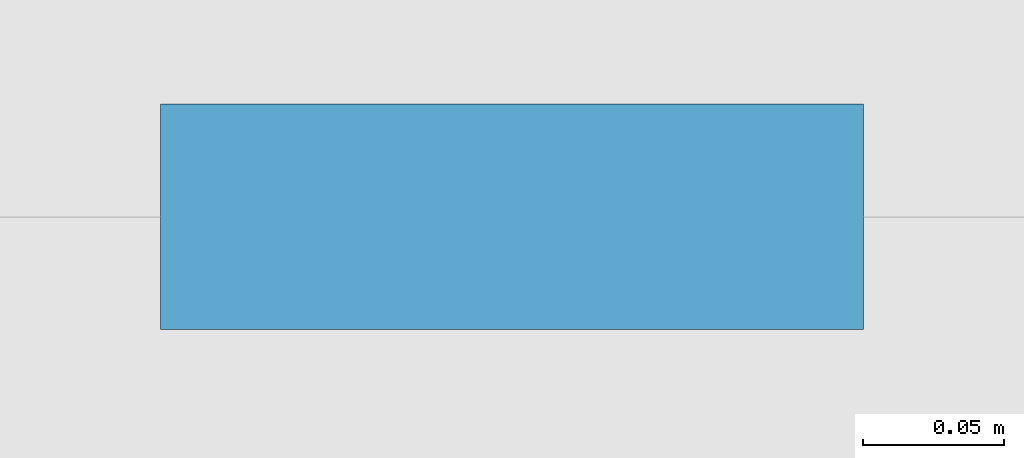
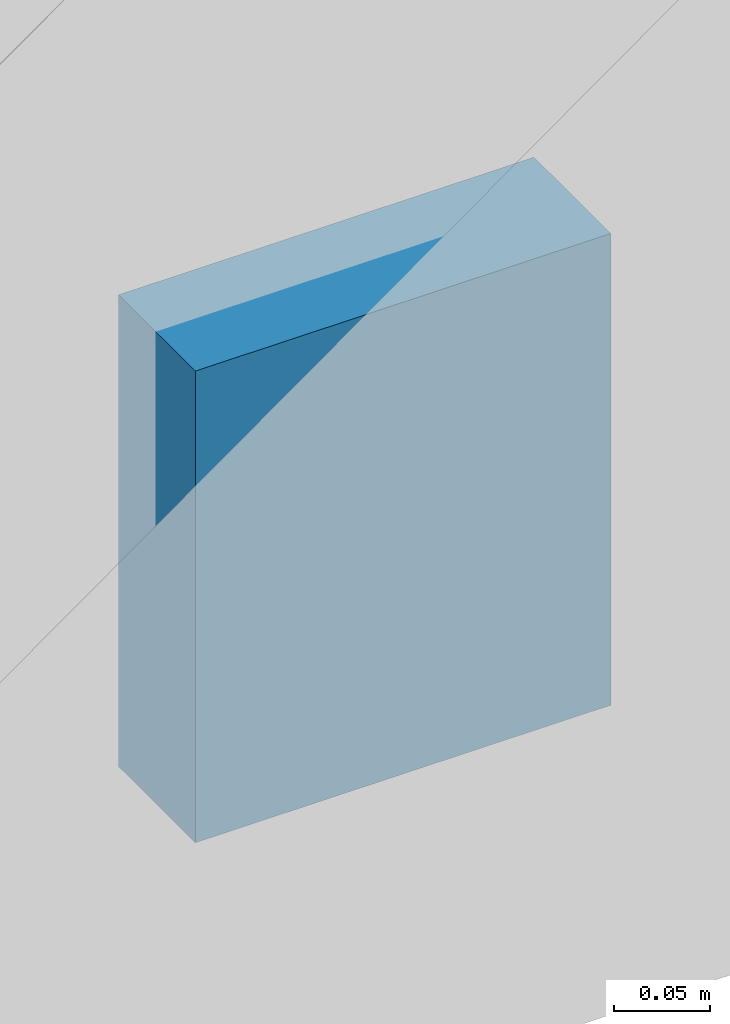
# One storey, part 92 of 199: 1 discrete accessory.
"""IFC4 building model written with IfcOpenShell, lengths in metres."""

from ifc_helpers import new_model, si_unit, direction, frame, origin, origin_2d, place, context, subcontext, project, spatial, rectangle, extrude, material, layer, layer_set, type_object, element, save


model = new_model("IFC4")

# Units and contexts
model_context = context("Model", 3, precision=1e-05, world=origin(), true_north=direction((0.0, 1.0)))
body_context = subcontext(model_context, "Body", "Model", "MODEL_VIEW")
ifc_project = project(units=[si_unit("LENGTHUNIT", "METRE"), si_unit("AREAUNIT", "SQUARE_METRE"), si_unit("VOLUMEUNIT", "CUBIC_METRE"), si_unit("PLANEANGLEUNIT", "RADIAN"), si_unit("MASSUNIT", "GRAM", prefix="KILO")], contexts=[model_context])

# Site, building, storey
site_placement = place(None, origin())
site = spatial("IfcSite", under=ifc_project, at=site_placement, CompositionType="ELEMENT")
building_placement = place(site_placement, origin())
building = spatial("IfcBuilding", under=site, at=building_placement, Name="Ogive Plaza Stadium", CompositionType="ELEMENT")
storey_placement = place(building_placement, frame((0.0, 0.0, 4.5)))
storey = spatial("IfcBuildingStorey", under=building, at=storey_placement, Name="L01", CompositionType="ELEMENT", Elevation=4.5)

# Discrete accessory
ifc_material = material(Name="Steel ASTM A572 Grade 50", Category="steel")
ifc_layer = layer(ifc_material, 0.080078125)
ifc_layer_set = layer_set([ifc_layer], Name="Steel ASTM A572 Grade 50")
discrete_accessory_type = type_object("IfcDiscreteAccessoryType", Name="Spandrel cladding bracket 250x300", PredefinedType="BRACKET", material=ifc_layer_set)
discrete_accessory_placement = place(storey_placement, frame((-27.199951171875, -102.85009765625, -1.31005859375), z_axis=(0.0, 0.0, 1.0), x_axis=(-1.0, 0.0, 0.0)))
element("IfcDiscreteAccessory", 1, at=discrete_accessory_placement, inside=storey, type_object=discrete_accessory_type, Name="SPANDREL BRACKET B16 L01", PredefinedType="BRACKET", context=body_context, shape_type="SweptSolid", body=[
    extrude(rectangle(XDim=0.25, YDim=0.080078125, at=origin_2d()), origin(), (0.0, 0.0, 1.0), 0.300048828125),
])

save(model, "model.ifc")
